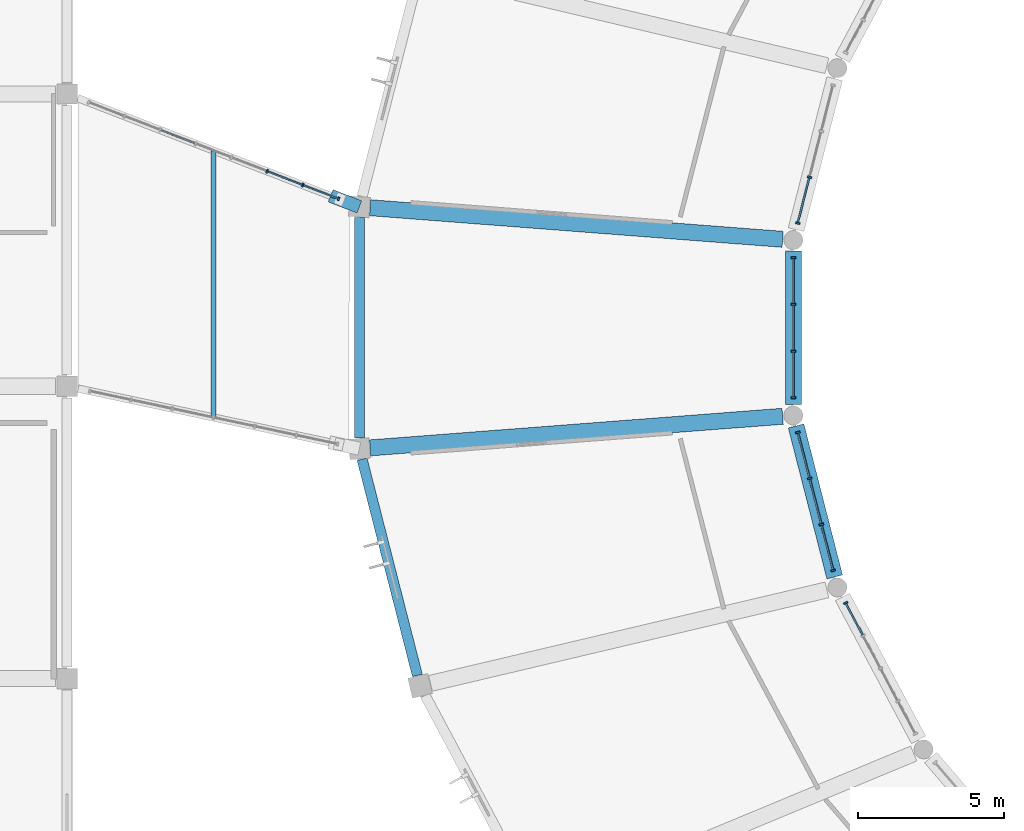
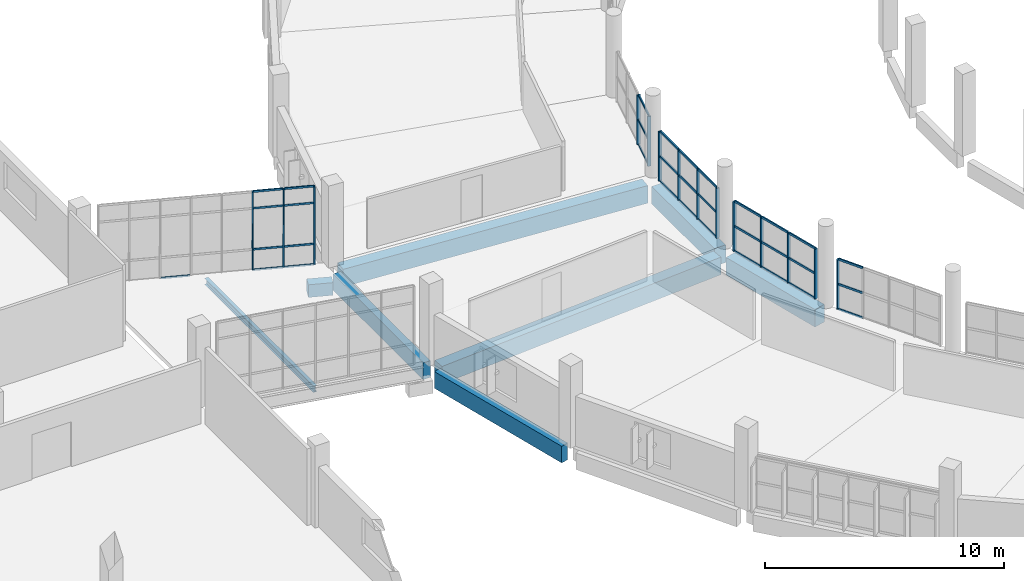
# One storey, part 9 of 142: 47 members, 8 beams, 5 elements without a shape of their own.
"""IFC4 building model written with IfcOpenShell, lengths in metres."""

from ifc_helpers import new_model, si_unit, direction, frame, origin, origin_2d, place, context, subcontext, project, spatial, rectangle, i_section, extrude, material, layer, layer_set, material_profile, profile_set, type_object, element, aggregate, save


model = new_model("IFC4")

# Units and contexts
model_context = context("Model", 3, precision=1e-05, world=origin(), true_north=direction((0.0, 1.0)))
body_context = subcontext(model_context, "Body", "Model", "MODEL_VIEW")
ifc_project = project(units=[si_unit("LENGTHUNIT", "METRE"), si_unit("AREAUNIT", "SQUARE_METRE"), si_unit("VOLUMEUNIT", "CUBIC_METRE"), si_unit("PLANEANGLEUNIT", "RADIAN"), si_unit("MASSUNIT", "GRAM", prefix="KILO")], contexts=[model_context])

# Site, building, storey
site_placement = place(None, origin())
site = spatial("IfcSite", under=ifc_project, at=site_placement, CompositionType="ELEMENT")
building_placement = place(site_placement, origin())
building = spatial("IfcBuilding", under=site, at=building_placement, Name="Corvandel Quay Wholesale Market", CompositionType="ELEMENT")
storey_placement = place(building_placement, frame((0.0, 0.0, 10.800048828125)))
storey = spatial("IfcBuildingStorey", under=building, at=storey_placement, Name="L02", CompositionType="ELEMENT", Elevation=10.800048828125)

# Beam
ifc_material_1 = material(Name="Steel A992 Grade 50", Category="steel")
ifc_material_profile_1 = material_profile(ifc_material_1, i_section(OverallWidth=0.1669921875, OverallDepth=0.318115234375, WebThickness=0.007568359375, FlangeThickness=0.01318359375, at=origin_2d()), Name="W12X35")
ifc_profile_set_1 = profile_set([ifc_material_profile_1], Name="Steel A992 Grade 50")
beam_type_1 = type_object("IfcBeamType", Name="Bridge Floor Steel Beam SB02 W12X35", PredefinedType="BEAM", material=ifc_profile_set_1)
beam_1_placement = place(storey_placement, frame((55.01220703125, 38.93896484375, -0.380126953125), z_axis=(-5.3569037e-05, 0.999999998565, 0.0), x_axis=(-0.999999998565, -5.3569037e-05, 0.0)))
element("IfcBeam", 1, at=beam_1_placement, inside=storey, type_object=beam_type_1, Name="Beam BM-1785", PredefinedType="BEAM", context=body_context, shape_type="SweptSolid", body=[
    extrude(i_section(OverallWidth=0.1669921875, OverallDepth=0.318115234375, WebThickness=0.007568359375, FlangeThickness=0.01318359375, at=origin_2d()), origin(), (0.0, 0.0, 1.0), 9.114990234375),
])

# Curtain wall, members
ifc_material_2 = material(Name="Bronze anodised aluminium and low-E insulated glazing", Category="aluminium")
ifc_layer_1 = layer(ifc_material_2, 0.174072265625)
ifc_layer_set_1 = layer_set([ifc_layer_1], Name="Bronze anodised aluminium and low-E insulated glazing")
curtain_wall_type_1 = type_object("IfcCurtainWallType", Name="Stick Curtain Wall System CW22 H4980", PredefinedType="NOTDEFINED", material=ifc_layer_set_1)
curtain_wall_1_placement = place(storey_placement, origin())
curtain_wall_1 = element("IfcCurtainWall", 2, at=curtain_wall_1_placement, inside=storey, type_object=curtain_wall_type_1, Name="Curtain Wall CW-0175", PredefinedType="NOTDEFINED")
ifc_material_3 = material(Name="Anodised aluminium 6063-T6", Category="aluminium")
ifc_material_profile_2 = material_profile(ifc_material_3, rectangle(XDim=0.06005859375, YDim=0.1298828125, at=origin_2d()), Name="ALU-MUL-60x130")
ifc_profile_set_2 = profile_set([ifc_material_profile_2], Name="Anodised aluminium 6063-T6")
member_type_1 = type_object("IfcMemberType", Name="Clerestory Mullion ML03 60x130", PredefinedType="MULLION", material=ifc_profile_set_2)
member_1_placement = place(storey_placement, frame((56.84375, 47.356201171875, -0.030029296875), z_axis=(0.0, 0.0, 1.0), x_axis=(-0.932827815397, 0.3603224484, 0.0)))
member_1 = element("IfcMember", 3, at=member_1_placement, type_object=member_type_1, Name="Mullion CW-0175-M05", PredefinedType="MULLION", context=body_context, shape_type="SweptSolid", body=[
    extrude(rectangle(XDim=0.06005859375, YDim=0.1298828125, at=origin_2d()), origin(), (0.0, 0.0, 1.0), 4.0),
])
member_2_placement = place(storey_placement, frame((58.06494140625, 46.884521484375, -0.030029296875), z_axis=(0.0, 0.0, 1.0), x_axis=(-0.932827815397, 0.3603224484, 0.0)))
member_2 = element("IfcMember", 4, at=member_2_placement, type_object=member_type_1, Name="Mullion CW-0175-M06", PredefinedType="MULLION", context=body_context, shape_type="SweptSolid", body=[
    extrude(rectangle(XDim=0.06005859375, YDim=0.1298828125, at=origin_2d()), origin(), (0.0, 0.0, 1.0), 4.0),
])
member_3_placement = place(storey_placement, frame((59.286376953125, 46.41259765625, -0.030029296875), z_axis=(0.0, 0.0, 1.0), x_axis=(-0.932827815397, 0.3603224484, 0.0)))
member_3 = element("IfcMember", 5, at=member_3_placement, type_object=member_type_1, Name="Mullion CW-0175-M07", PredefinedType="MULLION", context=body_context, shape_type="SweptSolid", body=[
    extrude(rectangle(XDim=0.06005859375, YDim=0.1298828125, at=origin_2d()), origin(), (0.0, 0.0, 1.0), 4.0),
])
ifc_material_profile_3 = material_profile(ifc_material_3, rectangle(XDim=0.054931640625, YDim=0.094970703125, at=origin_2d()), Name="ALU-TRN-55x95")
ifc_profile_set_3 = profile_set([ifc_material_profile_3], Name="Anodised aluminium 6063-T6")
member_type_2 = type_object("IfcMemberType", Name="Clerestory Transom TR03 55x95", PredefinedType="USERDEFINED", material=ifc_profile_set_3)
member_4_placement = place(storey_placement, frame((53.20751953125, 48.760986328125, -0.030029296875), z_axis=(0.932830974992, -0.360314268514, 0.0), x_axis=(0.360314268514, 0.932830974992, 0.0)))
member_4 = element("IfcMember", 6, at=member_4_placement, type_object=member_type_2, Name="Transom CW-0175-T02-0", ObjectType="TRANSOM", PredefinedType="USERDEFINED", context=body_context, shape_type="SweptSolid", body=[
    extrude(rectangle(XDim=0.054931640625, YDim=0.094970703125, at=origin_2d()), origin(), (0.0, 0.0, 1.0), 1.24951171875),
])
member_5_placement = place(storey_placement, frame((56.87158203125, 47.345458984375, -0.030029296875), z_axis=(0.932830974992, -0.360314268514, 0.0), x_axis=(0.360314268514, 0.932830974992, 0.0)))
member_5 = element("IfcMember", 7, at=member_5_placement, type_object=member_type_2, Name="Transom CW-0175-T05-0", ObjectType="TRANSOM", PredefinedType="USERDEFINED", context=body_context, shape_type="SweptSolid", body=[
    extrude(rectangle(XDim=0.054931640625, YDim=0.094970703125, at=origin_2d()), origin(), (0.0, 0.0, 1.0), 1.24951171875),
])
member_6_placement = place(storey_placement, frame((56.87158203125, 47.345458984375, 1.02001953125), z_axis=(0.932830974992, -0.360314268514, 0.0), x_axis=(0.360314268514, 0.932830974992, 0.0)))
member_6 = element("IfcMember", 8, at=member_6_placement, type_object=member_type_2, Name="Transom CW-0175-T05-1", ObjectType="TRANSOM", PredefinedType="USERDEFINED", context=body_context, shape_type="SweptSolid", body=[
    extrude(rectangle(XDim=0.054931640625, YDim=0.094970703125, at=origin_2d()), origin(), (0.0, 0.0, 1.0), 1.24951171875),
])
member_7_placement = place(storey_placement, frame((56.87158203125, 47.345458984375, 3.119873046875), z_axis=(0.932830974992, -0.360314268514, 0.0), x_axis=(0.360314268514, 0.932830974992, 0.0)))
member_7 = element("IfcMember", 9, at=member_7_placement, type_object=member_type_2, Name="Transom CW-0175-T05-2", ObjectType="TRANSOM", PredefinedType="USERDEFINED", context=body_context, shape_type="SweptSolid", body=[
    extrude(rectangle(XDim=0.054931640625, YDim=0.094970703125, at=origin_2d()), origin(), (0.0, 0.0, 1.0), 1.24951171875),
])
member_8_placement = place(storey_placement, frame((56.87158203125, 47.345458984375, 3.969970703125), z_axis=(0.932830974992, -0.360314268514, 0.0), x_axis=(0.360314268514, 0.932830974992, 0.0)))
member_8 = element("IfcMember", 10, at=member_8_placement, type_object=member_type_2, Name="Transom CW-0175-T05-3", ObjectType="TRANSOM", PredefinedType="USERDEFINED", context=body_context, shape_type="SweptSolid", body=[
    extrude(rectangle(XDim=0.054931640625, YDim=0.094970703125, at=origin_2d()), origin(), (0.0, 0.0, 1.0), 1.24951171875),
])
member_9_placement = place(storey_placement, frame((58.093017578125, 46.873779296875, -0.030029296875), z_axis=(0.932805600216, -0.360379955332, 0.0), x_axis=(0.360379955332, 0.932805600216, 0.0)))
member_9 = element("IfcMember", 11, at=member_9_placement, type_object=member_type_2, Name="Transom CW-0175-T06-0", ObjectType="TRANSOM", PredefinedType="USERDEFINED", context=body_context, shape_type="SweptSolid", body=[
    extrude(rectangle(XDim=0.054931640625, YDim=0.094970703125, at=origin_2d()), origin(), (0.0, 0.0, 1.0), 1.249267578125),
])
member_10_placement = place(storey_placement, frame((58.093017578125, 46.873779296875, 1.02001953125), z_axis=(0.932805600216, -0.360379955332, 0.0), x_axis=(0.360379955332, 0.932805600216, 0.0)))
member_10 = element("IfcMember", 12, at=member_10_placement, type_object=member_type_2, Name="Transom CW-0175-T06-1", ObjectType="TRANSOM", PredefinedType="USERDEFINED", context=body_context, shape_type="SweptSolid", body=[
    extrude(rectangle(XDim=0.054931640625, YDim=0.094970703125, at=origin_2d()), origin(), (0.0, 0.0, 1.0), 1.249267578125),
])
member_11_placement = place(storey_placement, frame((58.093017578125, 46.873779296875, 3.119873046875), z_axis=(0.932805600216, -0.360379955332, 0.0), x_axis=(0.360379955332, 0.932805600216, 0.0)))
member_11 = element("IfcMember", 13, at=member_11_placement, type_object=member_type_2, Name="Transom CW-0175-T06-2", ObjectType="TRANSOM", PredefinedType="USERDEFINED", context=body_context, shape_type="SweptSolid", body=[
    extrude(rectangle(XDim=0.054931640625, YDim=0.094970703125, at=origin_2d()), origin(), (0.0, 0.0, 1.0), 1.249267578125),
])
member_12_placement = place(storey_placement, frame((58.093017578125, 46.873779296875, 3.969970703125), z_axis=(0.932805600216, -0.360379955332, 0.0), x_axis=(0.360379955332, 0.932805600216, 0.0)))
member_12 = element("IfcMember", 14, at=member_12_placement, type_object=member_type_2, Name="Transom CW-0175-T06-3", ObjectType="TRANSOM", PredefinedType="USERDEFINED", context=body_context, shape_type="SweptSolid", body=[
    extrude(rectangle(XDim=0.054931640625, YDim=0.094970703125, at=origin_2d()), origin(), (0.0, 0.0, 1.0), 1.249267578125),
])
aggregate(curtain_wall_1, [member_1, member_2, member_3, member_4, member_5, member_6, member_7, member_8, member_9, member_10, member_11, member_12])

ifc_layer_2 = layer(ifc_material_2, 0.18603515625)
ifc_layer_set_2 = layer_set([ifc_layer_2], Name="Bronze anodised aluminium and low-E insulated glazing")
curtain_wall_type_2 = type_object("IfcCurtainWallType", Name="Stick Curtain Wall System CW08 H3720", PredefinedType="NOTDEFINED", material=ifc_layer_set_2)
curtain_wall_2_placement = place(storey_placement, origin())
curtain_wall_2 = element("IfcCurtainWall", 15, at=curtain_wall_2_placement, inside=storey, type_object=curtain_wall_type_2, Name="Curtain Wall CW-0045", PredefinedType="NOTDEFINED")
ifc_material_profile_4 = material_profile(ifc_material_3, rectangle(XDim=0.06494140625, YDim=0.14990234375, at=origin_2d()), Name="ALU-MUL-65x150")
ifc_profile_set_4 = profile_set([ifc_material_profile_4], Name="Anodised aluminium 6063-T6")
member_type_3 = type_object("IfcMemberType", Name="Curtain Wall Mullion ML02 65x150", PredefinedType="MULLION", material=ifc_profile_set_4)
member_13_placement = place(storey_placement, frame((75.401123046875, 47.15380859375, 0.0), z_axis=(0.0, 0.0, 1.0), x_axis=(0.247844544316, 0.968799815159, 0.0)))
member_13 = element("IfcMember", 16, at=member_13_placement, type_object=member_type_3, Name="Mullion CW-0045-M02", PredefinedType="MULLION", context=body_context, shape_type="SweptSolid", body=[
    extrude(rectangle(XDim=0.06494140625, YDim=0.14990234375, at=origin_2d()), origin(), (0.0, 0.0, 1.0), 2.550048828125),
])
member_14_placement = place(storey_placement, frame((74.998779296875, 45.580322265625, 0.0), z_axis=(0.0, 0.0, 1.0), x_axis=(0.247844544316, 0.968799815159, 0.0)))
member_14 = element("IfcMember", 17, at=member_14_placement, type_object=member_type_3, Name="Mullion CW-0045-M03", PredefinedType="MULLION", context=body_context, shape_type="SweptSolid", body=[
    extrude(rectangle(XDim=0.06494140625, YDim=0.14990234375, at=origin_2d()), origin(), (0.0, 0.0, 1.0), 2.550048828125),
])

ifc_layer_3 = layer(ifc_material_2, 0.197998046875)
ifc_layer_set_3 = layer_set([ifc_layer_3], Name="Bronze anodised aluminium and low-E insulated glazing")
curtain_wall_type_3 = type_object("IfcCurtainWallType", Name="Stick Curtain Wall System CW09 H3810", PredefinedType="NOTDEFINED", material=ifc_layer_set_3)
curtain_wall_3_placement = place(storey_placement, origin())
curtain_wall_3 = element("IfcCurtainWall", 18, at=curtain_wall_3_placement, inside=storey, type_object=curtain_wall_type_3, Name="Curtain Wall CW-0047", PredefinedType="NOTDEFINED")
member_15_placement = place(storey_placement, frame((74.85009765625, 44.39892578125, 0.0), z_axis=(0.0, 0.0, 1.0), x_axis=(0.0, 1.0, 0.0)))
member_15 = element("IfcMember", 19, at=member_15_placement, type_object=member_type_3, Name="Mullion CW-0047-M00", PredefinedType="MULLION", context=body_context, shape_type="SweptSolid", body=[
    extrude(rectangle(XDim=0.06494140625, YDim=0.14990234375, at=origin_2d()), origin(), (0.0, 0.0, 1.0), 2.550048828125),
])
member_16_placement = place(storey_placement, frame((74.85009765625, 42.7998046875, 0.0), z_axis=(0.0, 0.0, 1.0), x_axis=(0.0, 1.0, 0.0)))
member_16 = element("IfcMember", 20, at=member_16_placement, type_object=member_type_3, Name="Mullion CW-0047-M01", PredefinedType="MULLION", context=body_context, shape_type="SweptSolid", body=[
    extrude(rectangle(XDim=0.06494140625, YDim=0.14990234375, at=origin_2d()), origin(), (0.0, 0.0, 1.0), 2.550048828125),
])
member_17_placement = place(storey_placement, frame((74.85009765625, 41.2001953125, 0.0), z_axis=(0.0, 0.0, 1.0), x_axis=(0.0, 1.0, 0.0)))
member_17 = element("IfcMember", 21, at=member_17_placement, type_object=member_type_3, Name="Mullion CW-0047-M02", PredefinedType="MULLION", context=body_context, shape_type="SweptSolid", body=[
    extrude(rectangle(XDim=0.06494140625, YDim=0.14990234375, at=origin_2d()), origin(), (0.0, 0.0, 1.0), 2.550048828125),
])
member_18_placement = place(storey_placement, frame((74.85009765625, 39.60107421875, 0.0), z_axis=(0.0, 0.0, 1.0), x_axis=(0.0, 1.0, 0.0)))
member_18 = element("IfcMember", 22, at=member_18_placement, type_object=member_type_3, Name="Mullion CW-0047-M03", PredefinedType="MULLION", context=body_context, shape_type="SweptSolid", body=[
    extrude(rectangle(XDim=0.06494140625, YDim=0.14990234375, at=origin_2d()), origin(), (0.0, 0.0, 1.0), 2.550048828125),
])

ifc_layer_4 = layer(ifc_material_2, 0.14990234375)
ifc_layer_set_4 = layer_set([ifc_layer_4], Name="Bronze anodised aluminium and low-E insulated glazing")
curtain_wall_type_4 = type_object("IfcCurtainWallType", Name="Stick Curtain Wall System CW10 H3900", PredefinedType="NOTDEFINED", material=ifc_layer_set_4)
curtain_wall_4_placement = place(storey_placement, origin())
curtain_wall_4 = element("IfcCurtainWall", 23, at=curtain_wall_4_placement, inside=storey, type_object=curtain_wall_type_4, Name="Curtain Wall CW-0050", PredefinedType="NOTDEFINED")
member_19_placement = place(storey_placement, frame((74.998779296875, 38.419677734375, 0.0), z_axis=(0.0, 0.0, 1.0), x_axis=(-0.247844544316, 0.968799815159, 0.0)))
member_19 = element("IfcMember", 24, at=member_19_placement, type_object=member_type_3, Name="Mullion CW-0050-M00", PredefinedType="MULLION", context=body_context, shape_type="SweptSolid", body=[
    extrude(rectangle(XDim=0.06494140625, YDim=0.14990234375, at=origin_2d()), origin(), (0.0, 0.0, 1.0), 2.550048828125),
])
member_20_placement = place(storey_placement, frame((75.401123046875, 36.84619140625, 0.0), z_axis=(0.0, 0.0, 1.0), x_axis=(-0.247844544316, 0.968799815159, 0.0)))
member_20 = element("IfcMember", 25, at=member_20_placement, type_object=member_type_3, Name="Mullion CW-0050-M01", PredefinedType="MULLION", context=body_context, shape_type="SweptSolid", body=[
    extrude(rectangle(XDim=0.06494140625, YDim=0.14990234375, at=origin_2d()), origin(), (0.0, 0.0, 1.0), 2.550048828125),
])
member_21_placement = place(storey_placement, frame((75.8037109375, 35.272705078125, 0.0), z_axis=(0.0, 0.0, 1.0), x_axis=(-0.247844544316, 0.968799815159, 0.0)))
member_21 = element("IfcMember", 26, at=member_21_placement, type_object=member_type_3, Name="Mullion CW-0050-M02", PredefinedType="MULLION", context=body_context, shape_type="SweptSolid", body=[
    extrude(rectangle(XDim=0.06494140625, YDim=0.14990234375, at=origin_2d()), origin(), (0.0, 0.0, 1.0), 2.550048828125),
])
member_22_placement = place(storey_placement, frame((76.206298828125, 33.69921875, 0.0), z_axis=(0.0, 0.0, 1.0), x_axis=(-0.247844544316, 0.968799815159, 0.0)))
member_22 = element("IfcMember", 27, at=member_22_placement, type_object=member_type_3, Name="Mullion CW-0050-M03", PredefinedType="MULLION", context=body_context, shape_type="SweptSolid", body=[
    extrude(rectangle(XDim=0.06494140625, YDim=0.14990234375, at=origin_2d()), origin(), (0.0, 0.0, 1.0), 2.550048828125),
])

# Curtain wall, member
ifc_layer_5 = layer(ifc_material_2, 0.162109375)
ifc_layer_set_5 = layer_set([ifc_layer_5], Name="Bronze anodised aluminium and low-E insulated glazing")
curtain_wall_type_5 = type_object("IfcCurtainWallType", Name="Stick Curtain Wall System CW11 H3990", PredefinedType="NOTDEFINED", material=ifc_layer_set_5)
curtain_wall_5_placement = place(storey_placement, origin())
curtain_wall_5 = element("IfcCurtainWall", 28, at=curtain_wall_5_placement, inside=storey, type_object=curtain_wall_type_5, Name="Curtain Wall CW-0052", PredefinedType="NOTDEFINED")
member_23_placement = place(storey_placement, frame((76.636962890625, 32.58837890625, 0.0), z_axis=(0.0, 0.0, 1.0), x_axis=(-0.470087862033, 0.882619624736, 0.0)))
member_23 = element("IfcMember", 29, at=member_23_placement, type_object=member_type_3, Name="Mullion CW-0052-M00", PredefinedType="MULLION", context=body_context, shape_type="SweptSolid", body=[
    extrude(rectangle(XDim=0.06494140625, YDim=0.14990234375, at=origin_2d()), origin(), (0.0, 0.0, 1.0), 2.550048828125),
])

# Member
ifc_material_profile_5 = material_profile(ifc_material_3, rectangle(XDim=0.06005859375, YDim=0.110107421875, at=origin_2d()), Name="ALU-TRN-60x110")
ifc_profile_set_5 = profile_set([ifc_material_profile_5], Name="Anodised aluminium 6063-T6")
member_type_4 = type_object("IfcMemberType", Name="Curtain Wall Transom TR02 60x110", PredefinedType="USERDEFINED", material=ifc_profile_set_5)
member_24_placement = place(storey_placement, frame((75.393310546875, 47.122314453125, 0.0), z_axis=(-0.247874263937, -0.968792211611, 0.0), x_axis=(0.968792211611, -0.247874263937, 0.0)))
member_24 = element("IfcMember", 30, at=member_24_placement, type_object=member_type_4, Name="Transom CW-0045-T02-0", ObjectType="TRANSOM", PredefinedType="USERDEFINED", context=body_context, shape_type="SweptSolid", body=[
    extrude(rectangle(XDim=0.06005859375, YDim=0.110107421875, at=origin_2d()), origin(), (0.0, 0.0, 1.0), 1.55908203125),
])

member_25_placement = place(storey_placement, frame((75.393310546875, 47.122314453125, 1.27490234375), z_axis=(-0.247874263937, -0.968792211611, 0.0), x_axis=(0.968792211611, -0.247874263937, 0.0)))
member_25 = element("IfcMember", 31, at=member_25_placement, type_object=member_type_4, Name="Transom CW-0045-T02-1", ObjectType="TRANSOM", PredefinedType="USERDEFINED", context=body_context, shape_type="SweptSolid", body=[
    extrude(rectangle(XDim=0.06005859375, YDim=0.110107421875, at=origin_2d()), origin(), (0.0, 0.0, 1.0), 1.55908203125),
])

member_26_placement = place(storey_placement, frame((75.393310546875, 47.122314453125, 2.550048828125), z_axis=(-0.247874263937, -0.968792211611, 0.0), x_axis=(0.968792211611, -0.247874263937, 0.0)))
member_26 = element("IfcMember", 32, at=member_26_placement, type_object=member_type_4, Name="Transom CW-0045-T02-2", ObjectType="TRANSOM", PredefinedType="USERDEFINED", context=body_context, shape_type="SweptSolid", body=[
    extrude(rectangle(XDim=0.06005859375, YDim=0.110107421875, at=origin_2d()), origin(), (0.0, 0.0, 1.0), 1.55908203125),
])

aggregate(curtain_wall_2, [member_13, member_14, member_24, member_25, member_26])

member_27_placement = place(storey_placement, frame((74.85009765625, 44.366455078125, 0.0), z_axis=(0.0, -1.0, 0.0), x_axis=(1.0, 0.0, 0.0)))
member_27 = element("IfcMember", 33, at=member_27_placement, type_object=member_type_4, Name="Transom CW-0047-T00-0", ObjectType="TRANSOM", PredefinedType="USERDEFINED", context=body_context, shape_type="SweptSolid", body=[
    extrude(rectangle(XDim=0.06005859375, YDim=0.110107421875, at=origin_2d()), origin(), (0.0, 0.0, 1.0), 1.5341796875),
])

member_28_placement = place(storey_placement, frame((74.85009765625, 44.366455078125, 1.27490234375), z_axis=(0.0, -1.0, 0.0), x_axis=(1.0, 0.0, 0.0)))
member_28 = element("IfcMember", 34, at=member_28_placement, type_object=member_type_4, Name="Transom CW-0047-T00-1", ObjectType="TRANSOM", PredefinedType="USERDEFINED", context=body_context, shape_type="SweptSolid", body=[
    extrude(rectangle(XDim=0.06005859375, YDim=0.110107421875, at=origin_2d()), origin(), (0.0, 0.0, 1.0), 1.5341796875),
])

member_29_placement = place(storey_placement, frame((74.85009765625, 44.366455078125, 2.550048828125), z_axis=(0.0, -1.0, 0.0), x_axis=(1.0, 0.0, 0.0)))
member_29 = element("IfcMember", 35, at=member_29_placement, type_object=member_type_4, Name="Transom CW-0047-T00-2", ObjectType="TRANSOM", PredefinedType="USERDEFINED", context=body_context, shape_type="SweptSolid", body=[
    extrude(rectangle(XDim=0.06005859375, YDim=0.110107421875, at=origin_2d()), origin(), (0.0, 0.0, 1.0), 1.5341796875),
])

member_30_placement = place(storey_placement, frame((74.85009765625, 42.76708984375, 0.0), z_axis=(0.0, -1.0, 0.0), x_axis=(1.0, 0.0, 0.0)))
member_30 = element("IfcMember", 36, at=member_30_placement, type_object=member_type_4, Name="Transom CW-0047-T01-0", ObjectType="TRANSOM", PredefinedType="USERDEFINED", context=body_context, shape_type="SweptSolid", body=[
    extrude(rectangle(XDim=0.06005859375, YDim=0.110107421875, at=origin_2d()), origin(), (0.0, 0.0, 1.0), 1.5341796875),
])

member_31_placement = place(storey_placement, frame((74.85009765625, 42.76708984375, 1.27490234375), z_axis=(0.0, -1.0, 0.0), x_axis=(1.0, 0.0, 0.0)))
member_31 = element("IfcMember", 37, at=member_31_placement, type_object=member_type_4, Name="Transom CW-0047-T01-1", ObjectType="TRANSOM", PredefinedType="USERDEFINED", context=body_context, shape_type="SweptSolid", body=[
    extrude(rectangle(XDim=0.06005859375, YDim=0.110107421875, at=origin_2d()), origin(), (0.0, 0.0, 1.0), 1.5341796875),
])

member_32_placement = place(storey_placement, frame((74.85009765625, 42.76708984375, 2.550048828125), z_axis=(0.0, -1.0, 0.0), x_axis=(1.0, 0.0, 0.0)))
member_32 = element("IfcMember", 38, at=member_32_placement, type_object=member_type_4, Name="Transom CW-0047-T01-2", ObjectType="TRANSOM", PredefinedType="USERDEFINED", context=body_context, shape_type="SweptSolid", body=[
    extrude(rectangle(XDim=0.06005859375, YDim=0.110107421875, at=origin_2d()), origin(), (0.0, 0.0, 1.0), 1.5341796875),
])

member_33_placement = place(storey_placement, frame((74.85009765625, 41.167724609375, 0.0), z_axis=(0.0, -1.0, 0.0), x_axis=(1.0, 0.0, 0.0)))
member_33 = element("IfcMember", 39, at=member_33_placement, type_object=member_type_4, Name="Transom CW-0047-T02-0", ObjectType="TRANSOM", PredefinedType="USERDEFINED", context=body_context, shape_type="SweptSolid", body=[
    extrude(rectangle(XDim=0.06005859375, YDim=0.110107421875, at=origin_2d()), origin(), (0.0, 0.0, 1.0), 1.5341796875),
])

member_34_placement = place(storey_placement, frame((74.85009765625, 41.167724609375, 1.27490234375), z_axis=(0.0, -1.0, 0.0), x_axis=(1.0, 0.0, 0.0)))
member_34 = element("IfcMember", 40, at=member_34_placement, type_object=member_type_4, Name="Transom CW-0047-T02-1", ObjectType="TRANSOM", PredefinedType="USERDEFINED", context=body_context, shape_type="SweptSolid", body=[
    extrude(rectangle(XDim=0.06005859375, YDim=0.110107421875, at=origin_2d()), origin(), (0.0, 0.0, 1.0), 1.5341796875),
])

member_35_placement = place(storey_placement, frame((74.85009765625, 41.167724609375, 2.550048828125), z_axis=(0.0, -1.0, 0.0), x_axis=(1.0, 0.0, 0.0)))
member_35 = element("IfcMember", 41, at=member_35_placement, type_object=member_type_4, Name="Transom CW-0047-T02-2", ObjectType="TRANSOM", PredefinedType="USERDEFINED", context=body_context, shape_type="SweptSolid", body=[
    extrude(rectangle(XDim=0.06005859375, YDim=0.110107421875, at=origin_2d()), origin(), (0.0, 0.0, 1.0), 1.5341796875),
])

aggregate(curtain_wall_3, [member_15, member_16, member_17, member_18, member_27, member_28, member_29, member_30, member_31, member_32, member_33, member_34, member_35])

member_36_placement = place(storey_placement, frame((75.0068359375, 38.38818359375, 0.0), z_axis=(0.247874263937, -0.968792211611, 0.0), x_axis=(0.968792211611, 0.247874263937, 0.0)))
member_36 = element("IfcMember", 42, at=member_36_placement, type_object=member_type_4, Name="Transom CW-0050-T00-0", ObjectType="TRANSOM", PredefinedType="USERDEFINED", context=body_context, shape_type="SweptSolid", body=[
    extrude(rectangle(XDim=0.06005859375, YDim=0.110107421875, at=origin_2d()), origin(), (0.0, 0.0, 1.0), 1.55908203125),
])

member_37_placement = place(storey_placement, frame((75.0068359375, 38.38818359375, 1.27490234375), z_axis=(0.247874263937, -0.968792211611, 0.0), x_axis=(0.968792211611, 0.247874263937, 0.0)))
member_37 = element("IfcMember", 43, at=member_37_placement, type_object=member_type_4, Name="Transom CW-0050-T00-1", ObjectType="TRANSOM", PredefinedType="USERDEFINED", context=body_context, shape_type="SweptSolid", body=[
    extrude(rectangle(XDim=0.06005859375, YDim=0.110107421875, at=origin_2d()), origin(), (0.0, 0.0, 1.0), 1.55908203125),
])

member_38_placement = place(storey_placement, frame((75.0068359375, 38.38818359375, 2.550048828125), z_axis=(0.247874263937, -0.968792211611, 0.0), x_axis=(0.968792211611, 0.247874263937, 0.0)))
member_38 = element("IfcMember", 44, at=member_38_placement, type_object=member_type_4, Name="Transom CW-0050-T00-2", ObjectType="TRANSOM", PredefinedType="USERDEFINED", context=body_context, shape_type="SweptSolid", body=[
    extrude(rectangle(XDim=0.06005859375, YDim=0.110107421875, at=origin_2d()), origin(), (0.0, 0.0, 1.0), 1.55908203125),
])

member_39_placement = place(storey_placement, frame((75.4091796875, 36.814697265625, 0.0), z_axis=(0.247874263937, -0.968792211611, 0.0), x_axis=(0.968792211611, 0.247874263937, 0.0)))
member_39 = element("IfcMember", 45, at=member_39_placement, type_object=member_type_4, Name="Transom CW-0050-T01-0", ObjectType="TRANSOM", PredefinedType="USERDEFINED", context=body_context, shape_type="SweptSolid", body=[
    extrude(rectangle(XDim=0.06005859375, YDim=0.110107421875, at=origin_2d()), origin(), (0.0, 0.0, 1.0), 1.55908203125),
])

member_40_placement = place(storey_placement, frame((75.4091796875, 36.814697265625, 1.27490234375), z_axis=(0.247874263937, -0.968792211611, 0.0), x_axis=(0.968792211611, 0.247874263937, 0.0)))
member_40 = element("IfcMember", 46, at=member_40_placement, type_object=member_type_4, Name="Transom CW-0050-T01-1", ObjectType="TRANSOM", PredefinedType="USERDEFINED", context=body_context, shape_type="SweptSolid", body=[
    extrude(rectangle(XDim=0.06005859375, YDim=0.110107421875, at=origin_2d()), origin(), (0.0, 0.0, 1.0), 1.55908203125),
])

member_41_placement = place(storey_placement, frame((75.4091796875, 36.814697265625, 2.550048828125), z_axis=(0.247874263937, -0.968792211611, 0.0), x_axis=(0.968792211611, 0.247874263937, 0.0)))
member_41 = element("IfcMember", 47, at=member_41_placement, type_object=member_type_4, Name="Transom CW-0050-T01-2", ObjectType="TRANSOM", PredefinedType="USERDEFINED", context=body_context, shape_type="SweptSolid", body=[
    extrude(rectangle(XDim=0.06005859375, YDim=0.110107421875, at=origin_2d()), origin(), (0.0, 0.0, 1.0), 1.55908203125),
])

member_42_placement = place(storey_placement, frame((75.811767578125, 35.2412109375, 0.0), z_axis=(0.247874263937, -0.968792211611, 0.0), x_axis=(0.968792211611, 0.247874263937, 0.0)))
member_42 = element("IfcMember", 48, at=member_42_placement, type_object=member_type_4, Name="Transom CW-0050-T02-0", ObjectType="TRANSOM", PredefinedType="USERDEFINED", context=body_context, shape_type="SweptSolid", body=[
    extrude(rectangle(XDim=0.06005859375, YDim=0.110107421875, at=origin_2d()), origin(), (0.0, 0.0, 1.0), 1.55908203125),
])

member_43_placement = place(storey_placement, frame((75.811767578125, 35.2412109375, 1.27490234375), z_axis=(0.247874263937, -0.968792211611, 0.0), x_axis=(0.968792211611, 0.247874263937, 0.0)))
member_43 = element("IfcMember", 49, at=member_43_placement, type_object=member_type_4, Name="Transom CW-0050-T02-1", ObjectType="TRANSOM", PredefinedType="USERDEFINED", context=body_context, shape_type="SweptSolid", body=[
    extrude(rectangle(XDim=0.06005859375, YDim=0.110107421875, at=origin_2d()), origin(), (0.0, 0.0, 1.0), 1.55908203125),
])

member_44_placement = place(storey_placement, frame((75.811767578125, 35.2412109375, 2.550048828125), z_axis=(0.247874263937, -0.968792211611, 0.0), x_axis=(0.968792211611, 0.247874263937, 0.0)))
member_44 = element("IfcMember", 50, at=member_44_placement, type_object=member_type_4, Name="Transom CW-0050-T02-2", ObjectType="TRANSOM", PredefinedType="USERDEFINED", context=body_context, shape_type="SweptSolid", body=[
    extrude(rectangle(XDim=0.06005859375, YDim=0.110107421875, at=origin_2d()), origin(), (0.0, 0.0, 1.0), 1.55908203125),
])

aggregate(curtain_wall_4, [member_19, member_20, member_21, member_22, member_36, member_37, member_38, member_39, member_40, member_41, member_42, member_43, member_44])

member_45_placement = place(storey_placement, frame((76.65234375, 32.559814453125, 0.0), z_axis=(0.470009555952, -0.882661326508, 0.0), x_axis=(0.882661326508, 0.470009555952, 0.0)))
member_45 = element("IfcMember", 51, at=member_45_placement, type_object=member_type_4, Name="Transom CW-0052-T00-0", ObjectType="TRANSOM", PredefinedType="USERDEFINED", context=body_context, shape_type="SweptSolid", body=[
    extrude(rectangle(XDim=0.06005859375, YDim=0.110107421875, at=origin_2d()), origin(), (0.0, 0.0, 1.0), 1.20458984375),
])

member_46_placement = place(storey_placement, frame((76.65234375, 32.559814453125, 1.27490234375), z_axis=(0.470009555952, -0.882661326508, 0.0), x_axis=(0.882661326508, 0.470009555952, 0.0)))
member_46 = element("IfcMember", 52, at=member_46_placement, type_object=member_type_4, Name="Transom CW-0052-T00-1", ObjectType="TRANSOM", PredefinedType="USERDEFINED", context=body_context, shape_type="SweptSolid", body=[
    extrude(rectangle(XDim=0.06005859375, YDim=0.110107421875, at=origin_2d()), origin(), (0.0, 0.0, 1.0), 1.20458984375),
])

member_47_placement = place(storey_placement, frame((76.65234375, 32.559814453125, 2.550048828125), z_axis=(0.470009555952, -0.882661326508, 0.0), x_axis=(0.882661326508, 0.470009555952, 0.0)))
member_47 = element("IfcMember", 53, at=member_47_placement, type_object=member_type_4, Name="Transom CW-0052-T00-2", ObjectType="TRANSOM", PredefinedType="USERDEFINED", context=body_context, shape_type="SweptSolid", body=[
    extrude(rectangle(XDim=0.06005859375, YDim=0.110107421875, at=origin_2d()), origin(), (0.0, 0.0, 1.0), 1.20458984375),
])

aggregate(curtain_wall_5, [member_23, member_45, member_46, member_47])

# Beams
ifc_material_4 = material(Name="Precast concrete C45/55", Category="concrete")
ifc_material_profile_6 = material_profile(ifc_material_4, rectangle(XDim=0.35009765625, YDim=0.85009765625, at=origin_2d()), Name="PC-SPN-350x850")
ifc_profile_set_6 = profile_set([ifc_material_profile_6], Name="Precast concrete C45/55")
beam_type_2 = type_object("IfcBeamType", Name="Perimeter Precast Spandrel SP01 350x850", PredefinedType="SPANDREL", material=ifc_profile_set_6)
beam_2_placement = place(storey_placement, frame((60.0, 45.76708984375, -0.7451171875), z_axis=(0.0, -1.0, 0.0), x_axis=(1.0, 0.0, 0.0)))
element("IfcBeam", 54, at=beam_2_placement, inside=storey, type_object=beam_type_2, Name="Beam BM-0198", PredefinedType="SPANDREL", context=body_context, shape_type="SweptSolid", body=[
    extrude(rectangle(XDim=0.35009765625, YDim=0.85009765625, at=origin_2d()), origin(), (0.0, 0.0, 1.0), 7.5341796875),
])
beam_3_placement = place(storey_placement, frame((60.091796875, 37.50439453125, -0.7451171875), z_axis=(0.247753681304, -0.968823055775, 0.0), x_axis=(0.968823055775, 0.247753681304, 0.0)))
element("IfcBeam", 55, at=beam_3_placement, inside=storey, type_object=beam_type_2, Name="Beam BM-0210", PredefinedType="SPANDREL", context=body_context, shape_type="SweptSolid", body=[
    extrude(rectangle(XDim=0.35009765625, YDim=0.85009765625, at=origin_2d()), origin(), (0.0, 0.0, 1.0), 7.635009765625),
])
ifc_material_profile_7 = material_profile(ifc_material_4, rectangle(XDim=0.550048828125, YDim=0.89990234375, at=origin_2d()), Name="PC-GIR-550x900")
ifc_profile_set_7 = profile_set([ifc_material_profile_7], Name="Precast concrete C45/55")
beam_type_3 = type_object("IfcBeamType", Name="Produce Hall Radial Girder G03 550x900", PredefinedType="USERDEFINED", material=ifc_profile_set_7)
beam_4_placement = place(storey_placement, frame((74.85009765625, 44.62890625, -0.77001953125), z_axis=(0.0, -1.0, 0.0), x_axis=(1.0, 0.0, 0.0)))
element("IfcBeam", 56, at=beam_4_placement, inside=storey, type_object=beam_type_3, Name="Beam BM-0199", ObjectType="GIRDER", PredefinedType="USERDEFINED", context=body_context, shape_type="SweptSolid", body=[
    extrude(rectangle(XDim=0.550048828125, YDim=0.89990234375, at=origin_2d()), origin(), (0.0, 0.0, 1.0), 5.2578125),
])
beam_5_placement = place(storey_placement, frame((60.368896484375, 46.108642578125, -0.77001953125), z_axis=(0.997077473405, -0.076397068191, 0.0), x_axis=(0.076397068191, 0.997077473405, 0.0)))
element("IfcBeam", 57, at=beam_5_placement, inside=storey, type_object=beam_type_3, Name="Beam BM-0201", ObjectType="GIRDER", PredefinedType="USERDEFINED", context=body_context, shape_type="SweptSolid", body=[
    extrude(rectangle(XDim=0.550048828125, YDim=0.89990234375, at=origin_2d()), origin(), (0.0, 0.0, 1.0), 14.153564453125),
])
beam_6_placement = place(storey_placement, frame((74.941650390625, 38.642578125, -0.77001953125), z_axis=(0.247832250622, -0.968802960127, 0.0), x_axis=(0.968802960127, 0.247832250622, 0.0)))
element("IfcBeam", 58, at=beam_6_placement, inside=storey, type_object=beam_type_3, Name="Beam BM-0211", ObjectType="GIRDER", PredefinedType="USERDEFINED", context=body_context, shape_type="SweptSolid", body=[
    extrude(rectangle(XDim=0.550048828125, YDim=0.89990234375, at=origin_2d()), origin(), (0.0, 0.0, 1.0), 5.332275390625),
])
beam_7_placement = place(storey_placement, frame((60.368896484375, 37.891357421875, -0.77001953125), z_axis=(0.997077473405, 0.076397068191, 0.0), x_axis=(-0.076397068191, 0.997077473405, 0.0)))
element("IfcBeam", 59, at=beam_7_placement, inside=storey, type_object=beam_type_3, Name="Beam BM-0213", ObjectType="GIRDER", PredefinedType="USERDEFINED", context=body_context, shape_type="SweptSolid", body=[
    extrude(rectangle(XDim=0.550048828125, YDim=0.89990234375, at=origin_2d()), origin(), (0.0, 0.0, 1.0), 14.153564453125),
])
ifc_material_profile_8 = material_profile(ifc_material_4, rectangle(XDim=0.449951171875, YDim=0.64990234375, at=origin_2d()), Name="PC-COR-680x650")
ifc_profile_set_8 = profile_set([ifc_material_profile_8], Name="Precast concrete C45/55")
beam_type_4 = type_object("IfcBeamType", Name="Seismic Joint Precast Corbel CB01 680x650", PredefinedType="BEAM", material=ifc_profile_set_8)
beam_8_placement = place(storey_placement, frame((60.0, 46.136962890625, -1.22802734375), z_axis=(-0.932831724454, 0.3603123282, 0.0), x_axis=(-0.3603123282, -0.932831724454, 0.0)))
element("IfcBeam", 60, at=beam_8_placement, inside=storey, type_object=beam_type_4, Name="Beam BM-1783", PredefinedType="BEAM", context=body_context, shape_type="SweptSolid", body=[
    extrude(rectangle(XDim=0.449951171875, YDim=0.64990234375, at=origin_2d()), origin(), (0.0, 0.0, 1.0), 1.054931640625),
])

save(model, "model.ifc")
